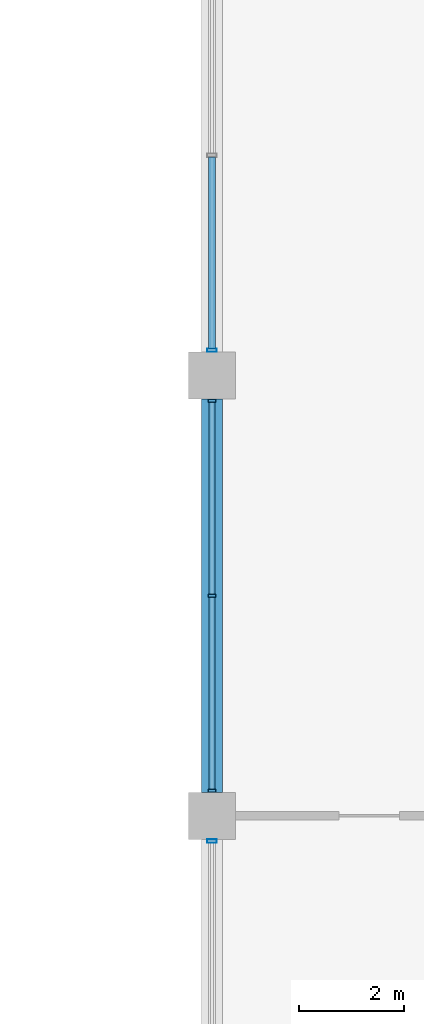
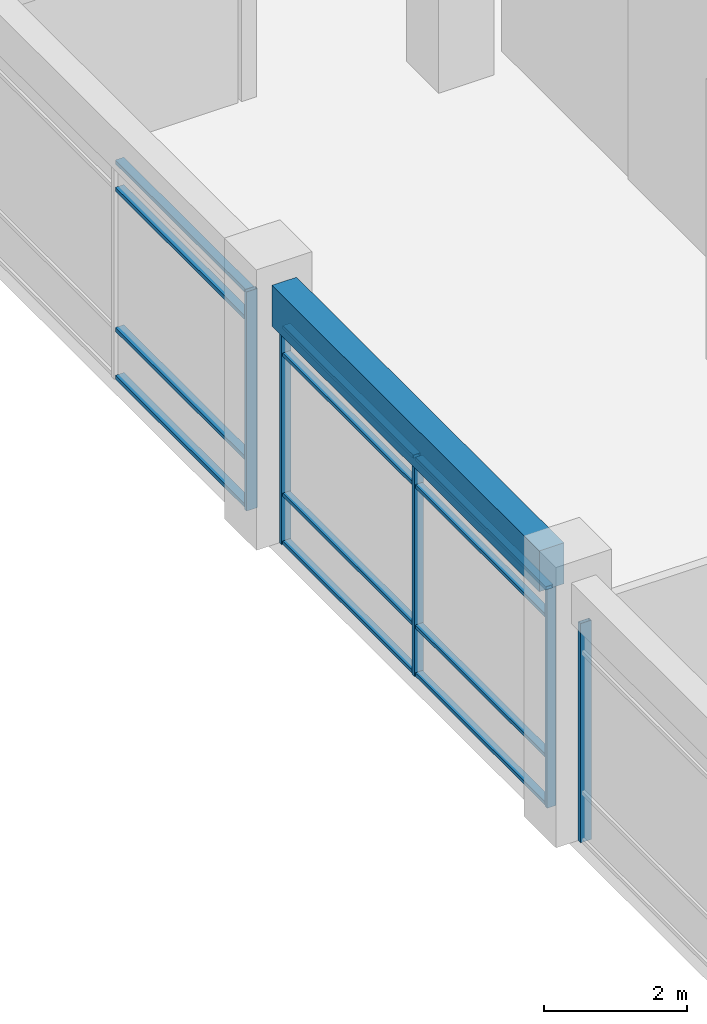
# One storey, part 30 of 79: 17 members, 1 beam, 3 elements without a shape of their own.
"""IFC4 building model written with IfcOpenShell, lengths in metres."""

from ifc_helpers import new_model, si_unit, direction, frame, origin, origin_2d, place, context, subcontext, project, spatial, rectangle, hollow_rectangle, extrude, material, material_profile, profile_set, type_object, element, aggregate, save


model = new_model("IFC4")

# Units and contexts
model_context = context("Model", 3, precision=1e-05, world=origin(), true_north=direction((0.0, 1.0)))
body_context = subcontext(model_context, "Body", "Model", "MODEL_VIEW")
ifc_project = project(units=[si_unit("LENGTHUNIT", "METRE"), si_unit("AREAUNIT", "SQUARE_METRE"), si_unit("VOLUMEUNIT", "CUBIC_METRE"), si_unit("PLANEANGLEUNIT", "RADIAN"), si_unit("MASSUNIT", "GRAM", prefix="KILO"), si_unit("THERMODYNAMICTEMPERATUREUNIT", "KELVIN"), si_unit("POWERUNIT", "WATT")], contexts=[model_context])

# Site, building, storey
site_placement = place(None, origin())
site = spatial("IfcSite", under=ifc_project, at=site_placement, CompositionType="ELEMENT")
building_placement = place(site_placement, origin())
building = spatial("IfcBuilding", under=site, at=building_placement, Name="Srebrne Nadtorze General Hospital", CompositionType="ELEMENT")
storey_placement = place(building_placement, frame((0.0, 0.0, 4.800048828125)))
storey = spatial("IfcBuildingStorey", under=building, at=storey_placement, Name="L01", CompositionType="ELEMENT", Elevation=4.800048828125)

# Curtain wall, members
ifc_material_1 = material(Name="Anodised Aluminium", Category="aluminium")
curtain_wall_type = type_object("IfcCurtainWallType", Name="Unitised curtain wall 7500x3750", PredefinedType="NOTDEFINED", material=ifc_material_1)
curtain_wall_1_placement = place(storey_placement, origin())
curtain_wall_1 = element("IfcCurtainWall", 1, at=curtain_wall_1_placement, inside=storey, type_object=curtain_wall_type, Name="Curtain wall CW-060", PredefinedType="NOTDEFINED")
ifc_material_2 = material(Name="Anodised Aluminium", Category="aluminium")
ifc_material_profile_1 = material_profile(ifc_material_2, hollow_rectangle(XDim=0.06005859375, YDim=0.14990234375, WallThickness=0.00390625, at=origin_2d()), Name="AL-MUL-60x150")
ifc_profile_set_1 = profile_set([ifc_material_profile_1], Name="Anodised Aluminium")
member_type_1 = type_object("IfcMemberType", Name="Curtain mullion 60x150", PredefinedType="MULLION", material=ifc_profile_set_1)
member_1_placement = place(storey_placement, frame((101.39990234375, 34.080078125, 0.0), z_axis=(0.0, 0.0, 1.0), x_axis=(0.0, 1.0, 0.0)))
member_1 = element("IfcMember", 2, at=member_1_placement, type_object=member_type_1, Name="CW-060 mullion 1", PredefinedType="MULLION", context=body_context, shape_type="SweptSolid", body=[
    extrude(hollow_rectangle(XDim=0.06005859375, YDim=0.14990234375, WallThickness=0.00390625, at=origin_2d()), origin(), (0.0, 0.0, 1.0), 3.75),
])
member_2_placement = place(storey_placement, frame((101.39990234375, 37.800048828125, 0.0), z_axis=(0.0, 0.0, 1.0), x_axis=(0.0, 1.0, 0.0)))
member_2 = element("IfcMember", 3, at=member_2_placement, type_object=member_type_1, Name="CW-060 mullion 2", PredefinedType="MULLION", context=body_context, shape_type="SweptSolid", body=[
    extrude(hollow_rectangle(XDim=0.06005859375, YDim=0.14990234375, WallThickness=0.00390625, at=origin_2d()), origin(), (0.0, 0.0, 1.0), 3.75),
])
member_3_placement = place(storey_placement, frame((101.39990234375, 41.52001953125, 0.0), z_axis=(0.0, 0.0, 1.0), x_axis=(0.0, 1.0, 0.0)))
member_3 = element("IfcMember", 4, at=member_3_placement, type_object=member_type_1, Name="CW-060 mullion 3", PredefinedType="MULLION", context=body_context, shape_type="SweptSolid", body=[
    extrude(hollow_rectangle(XDim=0.06005859375, YDim=0.14990234375, WallThickness=0.00390625, at=origin_2d()), origin(), (0.0, 0.0, 1.0), 3.75),
])

# Curtain wall, member
curtain_wall_2_placement = place(storey_placement, origin())
curtain_wall_2 = element("IfcCurtainWall", 5, at=curtain_wall_2_placement, inside=storey, type_object=curtain_wall_type, Name="Curtain wall CW-059", PredefinedType="NOTDEFINED")
ifc_material_3 = material(Name="Anodised Aluminium", Category="aluminium")
ifc_material_profile_2 = material_profile(ifc_material_3, hollow_rectangle(XDim=0.06494140625, YDim=0.179931640625, WallThickness=0.00390625, at=origin_2d()), Name="AL-MUL-65x180")
ifc_profile_set_2 = profile_set([ifc_material_profile_2], Name="Anodised Aluminium")
member_type_2 = type_object("IfcMemberType", Name="Curtain mullion 65x180", PredefinedType="MULLION", material=ifc_profile_set_2)
member_4_placement = place(storey_placement, frame((101.39990234375, 33.117431640625, 0.0), z_axis=(0.0, 0.0, 1.0), x_axis=(0.0, 1.0, 0.0)))
member_4 = element("IfcMember", 6, at=member_4_placement, type_object=member_type_2, Name="CW-059 mullion 3", PredefinedType="MULLION", context=body_context, shape_type="SweptSolid", body=[
    extrude(hollow_rectangle(XDim=0.06494140625, YDim=0.179931640625, WallThickness=0.00390625, at=origin_2d()), origin(), (0.0, 0.0, 1.0), 3.75),
])
aggregate(curtain_wall_2, [member_4])

curtain_wall_3_placement = place(storey_placement, origin())
curtain_wall_3 = element("IfcCurtainWall", 7, at=curtain_wall_3_placement, inside=storey, type_object=curtain_wall_type, Name="Curtain wall CW-061", PredefinedType="NOTDEFINED")
member_5_placement = place(storey_placement, frame((101.39990234375, 42.482421875, 0.0), z_axis=(0.0, 0.0, 1.0), x_axis=(0.0, 1.0, 0.0)))
member_5 = element("IfcMember", 8, at=member_5_placement, type_object=member_type_2, Name="CW-061 mullion 1", PredefinedType="MULLION", context=body_context, shape_type="SweptSolid", body=[
    extrude(hollow_rectangle(XDim=0.06494140625, YDim=0.179931640625, WallThickness=0.00390625, at=origin_2d()), origin(), (0.0, 0.0, 1.0), 3.75),
])

# Member
ifc_material_4 = material(Name="Anodised Aluminium", Category="aluminium")
ifc_material_profile_3 = material_profile(ifc_material_4, hollow_rectangle(XDim=0.06005859375, YDim=0.1201171875, WallThickness=0.00390625, at=origin_2d()), Name="AL-TRN-60x120")
ifc_profile_set_3 = profile_set([ifc_material_profile_3], Name="Anodised Aluminium")
member_type_3 = type_object("IfcMemberType", Name="Curtain transom 60x120", PredefinedType="USERDEFINED", material=ifc_profile_set_3)
member_6_placement = place(storey_placement, frame((101.39990234375, 34.110107421875, 0.030029296875), z_axis=(0.0, 1.0, 0.0), x_axis=(0.0, 0.0, 1.0)))
member_6 = element("IfcMember", 9, at=member_6_placement, type_object=member_type_3, Name="CW-060 transom 1.1", ObjectType="TRANSOM", PredefinedType="USERDEFINED", context=body_context, shape_type="SweptSolid", body=[
    extrude(hollow_rectangle(XDim=0.06005859375, YDim=0.1201171875, WallThickness=0.00390625, at=origin_2d()), origin(), (0.0, 0.0, 1.0), 3.659912109375),
])

member_7_placement = place(storey_placement, frame((101.39990234375, 34.110107421875, 0.849853515625), z_axis=(0.0, 1.0, 0.0), x_axis=(0.0, 0.0, 1.0)))
member_7 = element("IfcMember", 10, at=member_7_placement, type_object=member_type_3, Name="CW-060 transom 1.2", ObjectType="TRANSOM", PredefinedType="USERDEFINED", context=body_context, shape_type="SweptSolid", body=[
    extrude(hollow_rectangle(XDim=0.06005859375, YDim=0.1201171875, WallThickness=0.00390625, at=origin_2d()), origin(), (0.0, 0.0, 1.0), 3.659912109375),
])

member_8_placement = place(storey_placement, frame((101.39990234375, 34.110107421875, 3.25), z_axis=(0.0, 1.0, 0.0), x_axis=(0.0, 0.0, 1.0)))
member_8 = element("IfcMember", 11, at=member_8_placement, type_object=member_type_3, Name="CW-060 transom 1.3", ObjectType="TRANSOM", PredefinedType="USERDEFINED", context=body_context, shape_type="SweptSolid", body=[
    extrude(hollow_rectangle(XDim=0.06005859375, YDim=0.1201171875, WallThickness=0.00390625, at=origin_2d()), origin(), (0.0, 0.0, 1.0), 3.659912109375),
])

member_9_placement = place(storey_placement, frame((101.39990234375, 34.110107421875, 3.719970703125), z_axis=(0.0, 1.0, 0.0), x_axis=(0.0, 0.0, 1.0)))
member_9 = element("IfcMember", 12, at=member_9_placement, type_object=member_type_3, Name="CW-060 transom 1.4", ObjectType="TRANSOM", PredefinedType="USERDEFINED", context=body_context, shape_type="SweptSolid", body=[
    extrude(hollow_rectangle(XDim=0.06005859375, YDim=0.1201171875, WallThickness=0.00390625, at=origin_2d()), origin(), (0.0, 0.0, 1.0), 3.659912109375),
])

member_10_placement = place(storey_placement, frame((101.39990234375, 37.830078125, 0.030029296875), z_axis=(0.0, 1.0, 0.0), x_axis=(0.0, 0.0, 1.0)))
member_10 = element("IfcMember", 13, at=member_10_placement, type_object=member_type_3, Name="CW-060 transom 2.1", ObjectType="TRANSOM", PredefinedType="USERDEFINED", context=body_context, shape_type="SweptSolid", body=[
    extrude(hollow_rectangle(XDim=0.06005859375, YDim=0.1201171875, WallThickness=0.00390625, at=origin_2d()), origin(), (0.0, 0.0, 1.0), 3.659912109375),
])

member_11_placement = place(storey_placement, frame((101.39990234375, 37.830078125, 0.849853515625), z_axis=(0.0, 1.0, 0.0), x_axis=(0.0, 0.0, 1.0)))
member_11 = element("IfcMember", 14, at=member_11_placement, type_object=member_type_3, Name="CW-060 transom 2.2", ObjectType="TRANSOM", PredefinedType="USERDEFINED", context=body_context, shape_type="SweptSolid", body=[
    extrude(hollow_rectangle(XDim=0.06005859375, YDim=0.1201171875, WallThickness=0.00390625, at=origin_2d()), origin(), (0.0, 0.0, 1.0), 3.659912109375),
])

member_12_placement = place(storey_placement, frame((101.39990234375, 37.830078125, 3.25), z_axis=(0.0, 1.0, 0.0), x_axis=(0.0, 0.0, 1.0)))
member_12 = element("IfcMember", 15, at=member_12_placement, type_object=member_type_3, Name="CW-060 transom 2.3", ObjectType="TRANSOM", PredefinedType="USERDEFINED", context=body_context, shape_type="SweptSolid", body=[
    extrude(hollow_rectangle(XDim=0.06005859375, YDim=0.1201171875, WallThickness=0.00390625, at=origin_2d()), origin(), (0.0, 0.0, 1.0), 3.659912109375),
])

member_13_placement = place(storey_placement, frame((101.39990234375, 37.830078125, 3.719970703125), z_axis=(0.0, 1.0, 0.0), x_axis=(0.0, 0.0, 1.0)))
member_13 = element("IfcMember", 16, at=member_13_placement, type_object=member_type_3, Name="CW-060 transom 2.4", ObjectType="TRANSOM", PredefinedType="USERDEFINED", context=body_context, shape_type="SweptSolid", body=[
    extrude(hollow_rectangle(XDim=0.06005859375, YDim=0.1201171875, WallThickness=0.00390625, at=origin_2d()), origin(), (0.0, 0.0, 1.0), 3.659912109375),
])

aggregate(curtain_wall_1, [member_1, member_2, member_3, member_6, member_7, member_8, member_9, member_10, member_11, member_12, member_13])

ifc_material_5 = material(Name="Anodised Aluminium", Category="aluminium")
ifc_material_profile_4 = material_profile(ifc_material_5, hollow_rectangle(XDim=0.06494140625, YDim=0.139892578125, WallThickness=0.00390625, at=origin_2d()), Name="AL-TRN-65x140")
ifc_profile_set_4 = profile_set([ifc_material_profile_4], Name="Anodised Aluminium")
member_type_4 = type_object("IfcMemberType", Name="Curtain transom 65x140", PredefinedType="USERDEFINED", material=ifc_profile_set_4)
member_14_placement = place(storey_placement, frame((101.39990234375, 42.514892578125, 0.032470703125), z_axis=(0.0, 1.0, 0.0), x_axis=(0.0, 0.0, 1.0)))
member_14 = element("IfcMember", 17, at=member_14_placement, type_object=member_type_4, Name="CW-061 transom 1.1", ObjectType="TRANSOM", PredefinedType="USERDEFINED", context=body_context, shape_type="SweptSolid", body=[
    extrude(hollow_rectangle(XDim=0.06494140625, YDim=0.139892578125, WallThickness=0.00390625, at=origin_2d()), origin(), (0.0, 0.0, 1.0), 3.652587890625),
])

member_15_placement = place(storey_placement, frame((101.39990234375, 42.514892578125, 0.849853515625), z_axis=(0.0, 1.0, 0.0), x_axis=(0.0, 0.0, 1.0)))
member_15 = element("IfcMember", 18, at=member_15_placement, type_object=member_type_4, Name="CW-061 transom 1.2", ObjectType="TRANSOM", PredefinedType="USERDEFINED", context=body_context, shape_type="SweptSolid", body=[
    extrude(hollow_rectangle(XDim=0.06494140625, YDim=0.139892578125, WallThickness=0.00390625, at=origin_2d()), origin(), (0.0, 0.0, 1.0), 3.652587890625),
])

member_16_placement = place(storey_placement, frame((101.39990234375, 42.514892578125, 3.25), z_axis=(0.0, 1.0, 0.0), x_axis=(0.0, 0.0, 1.0)))
member_16 = element("IfcMember", 19, at=member_16_placement, type_object=member_type_4, Name="CW-061 transom 1.3", ObjectType="TRANSOM", PredefinedType="USERDEFINED", context=body_context, shape_type="SweptSolid", body=[
    extrude(hollow_rectangle(XDim=0.06494140625, YDim=0.139892578125, WallThickness=0.00390625, at=origin_2d()), origin(), (0.0, 0.0, 1.0), 3.652587890625),
])

member_17_placement = place(storey_placement, frame((101.39990234375, 42.514892578125, 3.717529296875), z_axis=(0.0, 1.0, 0.0), x_axis=(0.0, 0.0, 1.0)))
member_17 = element("IfcMember", 20, at=member_17_placement, type_object=member_type_4, Name="CW-061 transom 1.4", ObjectType="TRANSOM", PredefinedType="USERDEFINED", context=body_context, shape_type="SweptSolid", body=[
    extrude(hollow_rectangle(XDim=0.06494140625, YDim=0.139892578125, WallThickness=0.00390625, at=origin_2d()), origin(), (0.0, 0.0, 1.0), 3.652587890625),
])

aggregate(curtain_wall_3, [member_5, member_14, member_15, member_16, member_17])

# Beam
ifc_material_6 = material(Name="Concrete C40/50", Category="concrete")
ifc_material_profile_5 = material_profile(ifc_material_6, rectangle(XDim=0.39990234375, YDim=0.699951171875, at=origin_2d()), Name="RC-BM-400x700")
ifc_profile_set_5 = profile_set([ifc_material_profile_5], Name="Concrete C40/50")
beam_type = type_object("IfcBeamType", Name="Edge beam RC 400x700", PredefinedType="BEAM", material=ifc_profile_set_5)
beam_placement = place(storey_placement, frame((101.39990234375, 34.050048828125, 4.099853515625), z_axis=(0.0, 1.0, 0.0), x_axis=(-1.0, 0.0, 0.0)))
element("IfcBeam", 21, at=beam_placement, inside=storey, type_object=beam_type, Name="Beam BM-L01-Y-0510", PredefinedType="BEAM", context=body_context, shape_type="SweptSolid", body=[
    extrude(rectangle(XDim=0.39990234375, YDim=0.699951171875, at=origin_2d()), origin(), (0.0, 0.0, 1.0), 7.5),
])

save(model, "model.ifc")
